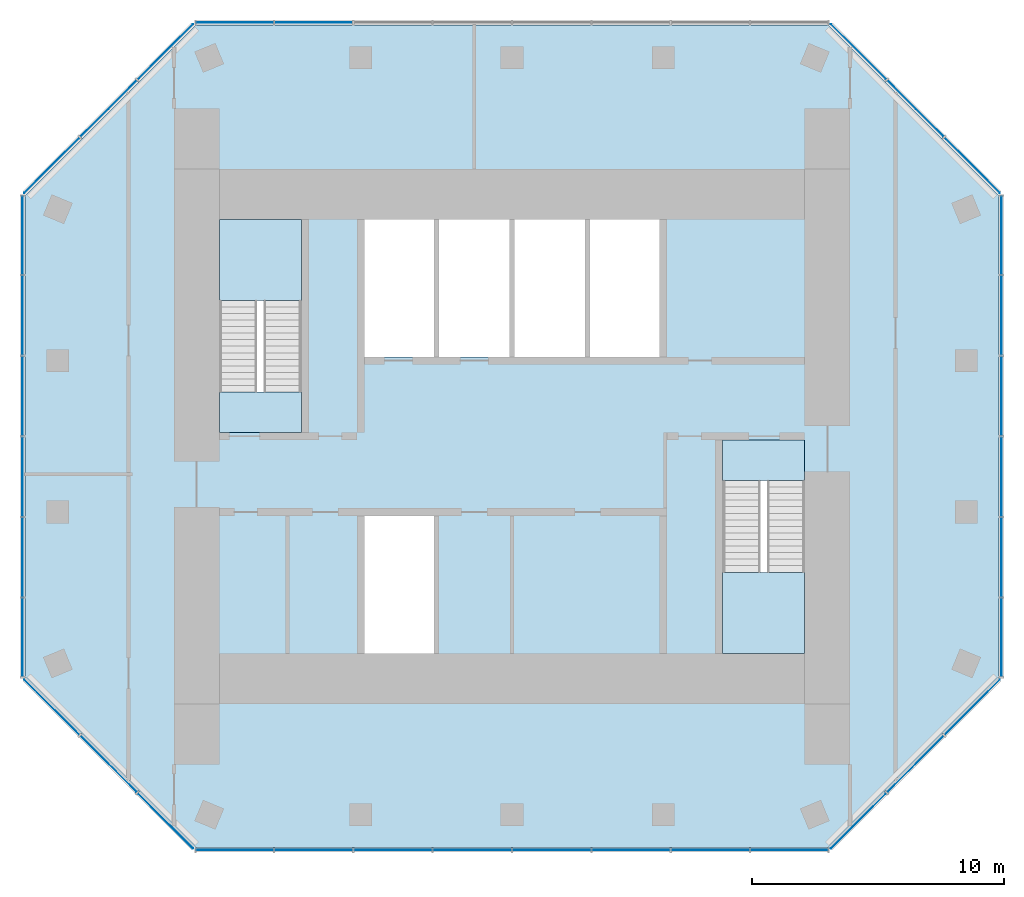
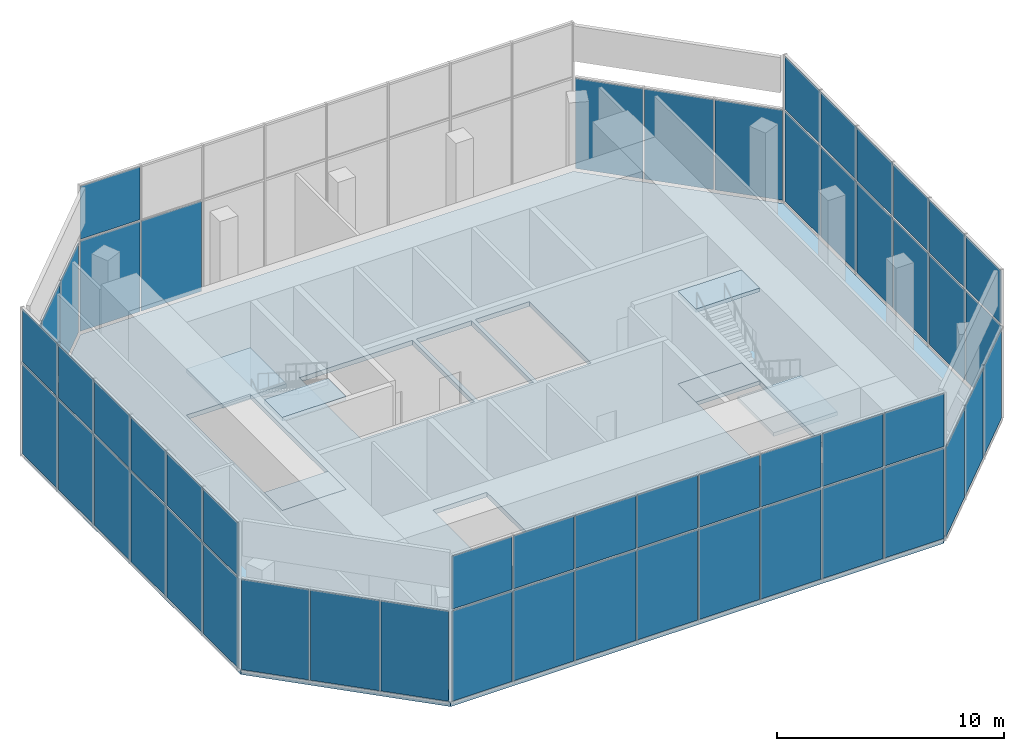
# One storey, part 6 of 9: 55 plates, 7 slabs, 10 elements without a shape of their own.
"""IFC4 building model written with IfcOpenShell, lengths in metres."""

from ifc_helpers import new_model, si_unit, direction, frame, origin, origin_2d, place, context, subcontext, project, spatial, polyline, rectangle, outline, extrude, material, layer, layer_set, type_object, element, aggregate, save


model = new_model("IFC4")

# Units and contexts
model_context = context("Model", 3, precision=1e-05, world=origin(), true_north=direction((0.0, 1.0)))
body_context = subcontext(model_context, "Body", "Model", "MODEL_VIEW")
ifc_project = project(units=[si_unit("LENGTHUNIT", "METRE"), si_unit("AREAUNIT", "SQUARE_METRE"), si_unit("VOLUMEUNIT", "CUBIC_METRE"), si_unit("PLANEANGLEUNIT", "RADIAN"), si_unit("MASSUNIT", "GRAM", prefix="KILO")], contexts=[model_context])

# Site, building, storey
site_placement = place(None, origin())
site = spatial("IfcSite", under=ifc_project, at=site_placement, CompositionType="ELEMENT")
building_placement = place(site_placement, origin())
building = spatial("IfcBuilding", under=site, at=building_placement, Name="Highveld Stack Headquarters", CompositionType="ELEMENT")
storey_placement = place(building_placement, frame((0.0, 0.0, 300.699951171875)))
storey = spatial("IfcBuildingStorey", under=building, at=storey_placement, Name="L74", CompositionType="ELEMENT", Elevation=300.699951171875)

# Curtain wall, plates
ifc_material_1 = material(Name="Aluminium bronze anodised", Category="aluminium")
ifc_layer_1 = layer(ifc_material_1, 0.199951171875)
ifc_layer_set_1 = layer_set([ifc_layer_1], Name="Aluminium bronze anodised")
curtain_wall_type = type_object("IfcCurtainWallType", Name="CW4 LANTERN CURTAIN WALL", PredefinedType="NOTDEFINED", material=ifc_layer_set_1)
curtain_wall_1_placement = place(storey_placement, origin())
curtain_wall_1 = element("IfcCurtainWall", 1, at=curtain_wall_1_placement, inside=storey, type_object=curtain_wall_type, Name="Curtain wall CW4 L74 S", PredefinedType="NOTDEFINED")
ifc_material_2 = material(Name="Glass translucent laminated glass", Category="glass")
ifc_layer_2 = layer(ifc_material_2, 0.02197265625)
ifc_layer_set_2 = layer_set([ifc_layer_2], Name="Glass translucent laminated glass")
plate_type = type_object("IfcPlateType", Name="CW4 PANEL TRANSLUCENT LAMINATED GLASS", PredefinedType="CURTAIN_PANEL", material=ifc_layer_set_2)
plate_1_placement = place(storey_placement, frame((-4.9912109375, -13.39990234375, 0.10009765625), z_axis=(0.0, 0.0, 1.0), x_axis=(1.0, 0.0, 0.0)))
plate_1 = element("IfcPlate", 2, at=plate_1_placement, type_object=plate_type, Name="CW4 panel L74 1.1", PredefinedType="CURTAIN_PANEL", context=body_context, shape_type="SweptSolid", body=[
    extrude(rectangle(XDim=3.047607421875, YDim=0.02197265625, at=origin_2d()), origin(), (0.0, 0.0, 1.0), 4.85009765625),
])
plate_2_placement = place(storey_placement, frame((-4.9912109375, -13.39990234375, 5.050048828125), z_axis=(0.0, 0.0, 1.0), x_axis=(1.0, 0.0, 0.0)))
plate_2 = element("IfcPlate", 3, at=plate_2_placement, type_object=plate_type, Name="CW4 panel L74 1.2", PredefinedType="CURTAIN_PANEL", context=body_context, shape_type="SweptSolid", body=[
    extrude(rectangle(XDim=3.047607421875, YDim=0.02197265625, at=origin_2d()), origin(), (0.0, 0.0, 1.0), 2.85009765625),
])
plate_3_placement = place(storey_placement, frame((-1.8623046875, -13.39990234375, 0.10009765625), z_axis=(0.0, 0.0, 1.0), x_axis=(1.0, 0.0, 0.0)))
plate_3 = element("IfcPlate", 4, at=plate_3_placement, type_object=plate_type, Name="CW4 panel L74 2.1", PredefinedType="CURTAIN_PANEL", context=body_context, shape_type="SweptSolid", body=[
    extrude(rectangle(XDim=3.080078125, YDim=0.02197265625, at=origin_2d()), origin(), (0.0, 0.0, 1.0), 4.85009765625),
])
plate_4_placement = place(storey_placement, frame((-1.8623046875, -13.39990234375, 5.050048828125), z_axis=(0.0, 0.0, 1.0), x_axis=(1.0, 0.0, 0.0)))
plate_4 = element("IfcPlate", 5, at=plate_4_placement, type_object=plate_type, Name="CW4 panel L74 2.2", PredefinedType="CURTAIN_PANEL", context=body_context, shape_type="SweptSolid", body=[
    extrude(rectangle(XDim=3.080078125, YDim=0.02197265625, at=origin_2d()), origin(), (0.0, 0.0, 1.0), 2.85009765625),
])
plate_5_placement = place(storey_placement, frame((1.282470703125, -13.39990234375, 0.10009765625), z_axis=(0.0, 0.0, 1.0), x_axis=(1.0, 0.0, 0.0)))
plate_5 = element("IfcPlate", 6, at=plate_5_placement, type_object=plate_type, Name="CW4 panel L74 3.1", PredefinedType="CURTAIN_PANEL", context=body_context, shape_type="SweptSolid", body=[
    extrude(rectangle(XDim=3.080078125, YDim=0.02197265625, at=origin_2d()), origin(), (0.0, 0.0, 1.0), 4.85009765625),
])
plate_6_placement = place(storey_placement, frame((1.282470703125, -13.39990234375, 5.050048828125), z_axis=(0.0, 0.0, 1.0), x_axis=(1.0, 0.0, 0.0)))
plate_6 = element("IfcPlate", 7, at=plate_6_placement, type_object=plate_type, Name="CW4 panel L74 3.2", PredefinedType="CURTAIN_PANEL", context=body_context, shape_type="SweptSolid", body=[
    extrude(rectangle(XDim=3.080078125, YDim=0.02197265625, at=origin_2d()), origin(), (0.0, 0.0, 1.0), 2.85009765625),
])
plate_7_placement = place(storey_placement, frame((4.427490234375, -13.39990234375, 0.10009765625), z_axis=(0.0, 0.0, 1.0), x_axis=(1.0, 0.0, 0.0)))
plate_7 = element("IfcPlate", 8, at=plate_7_placement, type_object=plate_type, Name="CW4 panel L74 4.1", PredefinedType="CURTAIN_PANEL", context=body_context, shape_type="SweptSolid", body=[
    extrude(rectangle(XDim=3.080078125, YDim=0.02197265625, at=origin_2d()), origin(), (0.0, 0.0, 1.0), 4.85009765625),
])
plate_8_placement = place(storey_placement, frame((4.427490234375, -13.39990234375, 5.050048828125), z_axis=(0.0, 0.0, 1.0), x_axis=(1.0, 0.0, 0.0)))
plate_8 = element("IfcPlate", 9, at=plate_8_placement, type_object=plate_type, Name="CW4 panel L74 4.2", PredefinedType="CURTAIN_PANEL", context=body_context, shape_type="SweptSolid", body=[
    extrude(rectangle(XDim=3.080078125, YDim=0.02197265625, at=origin_2d()), origin(), (0.0, 0.0, 1.0), 2.85009765625),
])
plate_9_placement = place(storey_placement, frame((7.572509765625, -13.39990234375, 0.10009765625), z_axis=(0.0, 0.0, 1.0), x_axis=(1.0, 0.0, 0.0)))
plate_9 = element("IfcPlate", 10, at=plate_9_placement, type_object=plate_type, Name="CW4 panel L74 5.1", PredefinedType="CURTAIN_PANEL", context=body_context, shape_type="SweptSolid", body=[
    extrude(rectangle(XDim=3.080078125, YDim=0.02197265625, at=origin_2d()), origin(), (0.0, 0.0, 1.0), 4.85009765625),
])
plate_10_placement = place(storey_placement, frame((7.572509765625, -13.39990234375, 5.050048828125), z_axis=(0.0, 0.0, 1.0), x_axis=(1.0, 0.0, 0.0)))
plate_10 = element("IfcPlate", 11, at=plate_10_placement, type_object=plate_type, Name="CW4 panel L74 5.2", PredefinedType="CURTAIN_PANEL", context=body_context, shape_type="SweptSolid", body=[
    extrude(rectangle(XDim=3.080078125, YDim=0.02197265625, at=origin_2d()), origin(), (0.0, 0.0, 1.0), 2.85009765625),
])
plate_11_placement = place(storey_placement, frame((10.717529296875, -13.39990234375, 0.10009765625), z_axis=(0.0, 0.0, 1.0), x_axis=(1.0, 0.0, 0.0)))
plate_11 = element("IfcPlate", 12, at=plate_11_placement, type_object=plate_type, Name="CW4 panel L74 6.1", PredefinedType="CURTAIN_PANEL", context=body_context, shape_type="SweptSolid", body=[
    extrude(rectangle(XDim=3.080078125, YDim=0.02197265625, at=origin_2d()), origin(), (0.0, 0.0, 1.0), 4.85009765625),
])
plate_12_placement = place(storey_placement, frame((10.717529296875, -13.39990234375, 5.050048828125), z_axis=(0.0, 0.0, 1.0), x_axis=(1.0, 0.0, 0.0)))
plate_12 = element("IfcPlate", 13, at=plate_12_placement, type_object=plate_type, Name="CW4 panel L74 6.2", PredefinedType="CURTAIN_PANEL", context=body_context, shape_type="SweptSolid", body=[
    extrude(rectangle(XDim=3.080078125, YDim=0.02197265625, at=origin_2d()), origin(), (0.0, 0.0, 1.0), 2.85009765625),
])
plate_13_placement = place(storey_placement, frame((13.8623046875, -13.39990234375, 0.10009765625), z_axis=(0.0, 0.0, 1.0), x_axis=(1.0, 0.0, 0.0)))
plate_13 = element("IfcPlate", 14, at=plate_13_placement, type_object=plate_type, Name="CW4 panel L74 7.1", PredefinedType="CURTAIN_PANEL", context=body_context, shape_type="SweptSolid", body=[
    extrude(rectangle(XDim=3.080078125, YDim=0.02197265625, at=origin_2d()), origin(), (0.0, 0.0, 1.0), 4.85009765625),
])
plate_14_placement = place(storey_placement, frame((13.8623046875, -13.39990234375, 5.050048828125), z_axis=(0.0, 0.0, 1.0), x_axis=(1.0, 0.0, 0.0)))
plate_14 = element("IfcPlate", 15, at=plate_14_placement, type_object=plate_type, Name="CW4 panel L74 7.2", PredefinedType="CURTAIN_PANEL", context=body_context, shape_type="SweptSolid", body=[
    extrude(rectangle(XDim=3.080078125, YDim=0.02197265625, at=origin_2d()), origin(), (0.0, 0.0, 1.0), 2.85009765625),
])
plate_15_placement = place(storey_placement, frame((16.9912109375, -13.39990234375, 0.10009765625), z_axis=(0.0, 0.0, 1.0), x_axis=(1.0, 0.0, 0.0)))
plate_15 = element("IfcPlate", 16, at=plate_15_placement, type_object=plate_type, Name="CW4 panel L74 8.1", PredefinedType="CURTAIN_PANEL", context=body_context, shape_type="SweptSolid", body=[
    extrude(rectangle(XDim=3.047607421875, YDim=0.02197265625, at=origin_2d()), origin(), (0.0, 0.0, 1.0), 4.85009765625),
])
plate_16_placement = place(storey_placement, frame((16.9912109375, -13.39990234375, 5.050048828125), z_axis=(0.0, 0.0, 1.0), x_axis=(1.0, 0.0, 0.0)))
plate_16 = element("IfcPlate", 17, at=plate_16_placement, type_object=plate_type, Name="CW4 panel L74 8.2", PredefinedType="CURTAIN_PANEL", context=body_context, shape_type="SweptSolid", body=[
    extrude(rectangle(XDim=3.047607421875, YDim=0.02197265625, at=origin_2d()), origin(), (0.0, 0.0, 1.0), 2.85009765625),
])
aggregate(curtain_wall_1, [plate_1, plate_2, plate_3, plate_4, plate_5, plate_6, plate_7, plate_8, plate_9, plate_10, plate_11, plate_12, plate_13, plate_14, plate_15, plate_16])

curtain_wall_2_placement = place(storey_placement, origin())
curtain_wall_2 = element("IfcCurtainWall", 18, at=curtain_wall_2_placement, inside=storey, type_object=curtain_wall_type, Name="Curtain wall CW4 L74 SE", PredefinedType="NOTDEFINED")
plate_17_placement = place(storey_placement, frame((19.740478515625, -12.239501953125, 0.10009765625), z_axis=(0.0, 0.0, 1.0), x_axis=(0.707106781187, 0.707106781187, 0.0)))
plate_17 = element("IfcPlate", 19, at=plate_17_placement, type_object=plate_type, Name="CW4 panel L74 1.1", PredefinedType="CURTAIN_PANEL", context=body_context, shape_type="SweptSolid", body=[
    extrude(rectangle(XDim=3.08251953125, YDim=0.02197265625, at=origin_2d()), origin(), (0.0, 0.0, 1.0), 4.85009765625),
])
plate_18_placement = place(storey_placement, frame((21.989990234375, -9.989990234375, 0.10009765625), z_axis=(0.0, 0.0, 1.0), x_axis=(0.707106781187, 0.707106781187, 0.0)))
plate_18 = element("IfcPlate", 20, at=plate_18_placement, type_object=plate_type, Name="CW4 panel L74 2.1", PredefinedType="CURTAIN_PANEL", context=body_context, shape_type="SweptSolid", body=[
    extrude(rectangle(XDim=3.14990234375, YDim=0.02197265625, at=origin_2d()), origin(), (0.0, 0.0, 1.0), 4.85009765625),
])
plate_19_placement = place(storey_placement, frame((24.239501953125, -7.740478515625, 0.10009765625), z_axis=(0.0, 0.0, 1.0), x_axis=(0.707106781187, 0.707106781187, 0.0)))
plate_19 = element("IfcPlate", 21, at=plate_19_placement, type_object=plate_type, Name="CW4 panel L74 3.1", PredefinedType="CURTAIN_PANEL", context=body_context, shape_type="SweptSolid", body=[
    extrude(rectangle(XDim=3.08251953125, YDim=0.02197265625, at=origin_2d()), origin(), (0.0, 0.0, 1.0), 4.85009765625),
])
aggregate(curtain_wall_2, [plate_17, plate_18, plate_19])

curtain_wall_3_placement = place(storey_placement, origin())
curtain_wall_3 = element("IfcCurtainWall", 22, at=curtain_wall_3_placement, inside=storey, type_object=curtain_wall_type, Name="Curtain wall CW4 L74 E", PredefinedType="NOTDEFINED")
plate_20_placement = place(storey_placement, frame((25.39990234375, -4.967041015625, 0.10009765625), z_axis=(0.0, 0.0, 1.0), x_axis=(0.0, 1.0, 0.0)))
plate_20 = element("IfcPlate", 23, at=plate_20_placement, type_object=plate_type, Name="CW4 panel L74 1.1", PredefinedType="CURTAIN_PANEL", context=body_context, shape_type="SweptSolid", body=[
    extrude(rectangle(XDim=3.095703125, YDim=0.02197265625, at=origin_2d()), origin(), (0.0, 0.0, 1.0), 4.85009765625),
])
plate_21_placement = place(storey_placement, frame((25.39990234375, -4.967041015625, 5.050048828125), z_axis=(0.0, 0.0, 1.0), x_axis=(0.0, 1.0, 0.0)))
plate_21 = element("IfcPlate", 24, at=plate_21_placement, type_object=plate_type, Name="CW4 panel L74 1.2", PredefinedType="CURTAIN_PANEL", context=body_context, shape_type="SweptSolid", body=[
    extrude(rectangle(XDim=3.095703125, YDim=0.02197265625, at=origin_2d()), origin(), (0.0, 0.0, 1.0), 2.85009765625),
])
plate_22_placement = place(storey_placement, frame((25.39990234375, -1.789794921875, 0.10009765625), z_axis=(0.0, 0.0, 1.0), x_axis=(0.0, 1.0, 0.0)))
plate_22 = element("IfcPlate", 25, at=plate_22_placement, type_object=plate_type, Name="CW4 panel L74 2.1", PredefinedType="CURTAIN_PANEL", context=body_context, shape_type="SweptSolid", body=[
    extrude(rectangle(XDim=3.12841796875, YDim=0.02197265625, at=origin_2d()), origin(), (0.0, 0.0, 1.0), 4.85009765625),
])
plate_23_placement = place(storey_placement, frame((25.39990234375, -1.789794921875, 5.050048828125), z_axis=(0.0, 0.0, 1.0), x_axis=(0.0, 1.0, 0.0)))
plate_23 = element("IfcPlate", 26, at=plate_23_placement, type_object=plate_type, Name="CW4 panel L74 2.2", PredefinedType="CURTAIN_PANEL", context=body_context, shape_type="SweptSolid", body=[
    extrude(rectangle(XDim=3.12841796875, YDim=0.02197265625, at=origin_2d()), origin(), (0.0, 0.0, 1.0), 2.85009765625),
])
plate_24_placement = place(storey_placement, frame((25.39990234375, 1.4033203125, 0.10009765625), z_axis=(0.0, 0.0, 1.0), x_axis=(0.0, 1.0, 0.0)))
plate_24 = element("IfcPlate", 27, at=plate_24_placement, type_object=plate_type, Name="CW4 panel L74 3.1", PredefinedType="CURTAIN_PANEL", context=body_context, shape_type="SweptSolid", body=[
    extrude(rectangle(XDim=3.12841796875, YDim=0.02197265625, at=origin_2d()), origin(), (0.0, 0.0, 1.0), 4.85009765625),
])
plate_25_placement = place(storey_placement, frame((25.39990234375, 1.4033203125, 5.050048828125), z_axis=(0.0, 0.0, 1.0), x_axis=(0.0, 1.0, 0.0)))
plate_25 = element("IfcPlate", 28, at=plate_25_placement, type_object=plate_type, Name="CW4 panel L74 3.2", PredefinedType="CURTAIN_PANEL", context=body_context, shape_type="SweptSolid", body=[
    extrude(rectangle(XDim=3.12841796875, YDim=0.02197265625, at=origin_2d()), origin(), (0.0, 0.0, 1.0), 2.85009765625),
])
plate_26_placement = place(storey_placement, frame((25.39990234375, 4.5966796875, 0.10009765625), z_axis=(0.0, 0.0, 1.0), x_axis=(0.0, 1.0, 0.0)))
plate_26 = element("IfcPlate", 29, at=plate_26_placement, type_object=plate_type, Name="CW4 panel L74 4.1", PredefinedType="CURTAIN_PANEL", context=body_context, shape_type="SweptSolid", body=[
    extrude(rectangle(XDim=3.12841796875, YDim=0.02197265625, at=origin_2d()), origin(), (0.0, 0.0, 1.0), 4.85009765625),
])
plate_27_placement = place(storey_placement, frame((25.39990234375, 4.5966796875, 5.050048828125), z_axis=(0.0, 0.0, 1.0), x_axis=(0.0, 1.0, 0.0)))
plate_27 = element("IfcPlate", 30, at=plate_27_placement, type_object=plate_type, Name="CW4 panel L74 4.2", PredefinedType="CURTAIN_PANEL", context=body_context, shape_type="SweptSolid", body=[
    extrude(rectangle(XDim=3.12841796875, YDim=0.02197265625, at=origin_2d()), origin(), (0.0, 0.0, 1.0), 2.85009765625),
])
plate_28_placement = place(storey_placement, frame((25.39990234375, 7.7900390625, 0.10009765625), z_axis=(0.0, 0.0, 1.0), x_axis=(0.0, 1.0, 0.0)))
plate_28 = element("IfcPlate", 31, at=plate_28_placement, type_object=plate_type, Name="CW4 panel L74 5.1", PredefinedType="CURTAIN_PANEL", context=body_context, shape_type="SweptSolid", body=[
    extrude(rectangle(XDim=3.12841796875, YDim=0.02197265625, at=origin_2d()), origin(), (0.0, 0.0, 1.0), 4.85009765625),
])
plate_29_placement = place(storey_placement, frame((25.39990234375, 7.7900390625, 5.050048828125), z_axis=(0.0, 0.0, 1.0), x_axis=(0.0, 1.0, 0.0)))
plate_29 = element("IfcPlate", 32, at=plate_29_placement, type_object=plate_type, Name="CW4 panel L74 5.2", PredefinedType="CURTAIN_PANEL", context=body_context, shape_type="SweptSolid", body=[
    extrude(rectangle(XDim=3.12841796875, YDim=0.02197265625, at=origin_2d()), origin(), (0.0, 0.0, 1.0), 2.85009765625),
])
plate_30_placement = place(storey_placement, frame((25.39990234375, 10.967041015625, 0.10009765625), z_axis=(0.0, 0.0, 1.0), x_axis=(0.0, 1.0, 0.0)))
plate_30 = element("IfcPlate", 33, at=plate_30_placement, type_object=plate_type, Name="CW4 panel L74 6.1", PredefinedType="CURTAIN_PANEL", context=body_context, shape_type="SweptSolid", body=[
    extrude(rectangle(XDim=3.095703125, YDim=0.02197265625, at=origin_2d()), origin(), (0.0, 0.0, 1.0), 4.85009765625),
])
plate_31_placement = place(storey_placement, frame((25.39990234375, 10.967041015625, 5.050048828125), z_axis=(0.0, 0.0, 1.0), x_axis=(0.0, 1.0, 0.0)))
plate_31 = element("IfcPlate", 34, at=plate_31_placement, type_object=plate_type, Name="CW4 panel L74 6.2", PredefinedType="CURTAIN_PANEL", context=body_context, shape_type="SweptSolid", body=[
    extrude(rectangle(XDim=3.095703125, YDim=0.02197265625, at=origin_2d()), origin(), (0.0, 0.0, 1.0), 2.85009765625),
])
aggregate(curtain_wall_3, [plate_20, plate_21, plate_22, plate_23, plate_24, plate_25, plate_26, plate_27, plate_28, plate_29, plate_30, plate_31])

curtain_wall_4_placement = place(storey_placement, origin())
curtain_wall_4 = element("IfcCurtainWall", 35, at=curtain_wall_4_placement, inside=storey, type_object=curtain_wall_type, Name="Curtain wall CW4 L74 NE", PredefinedType="NOTDEFINED")
plate_32_placement = place(storey_placement, frame((24.239501953125, 13.740478515625, 0.10009765625), z_axis=(0.0, 0.0, 1.0), x_axis=(-0.707106781187, 0.707106781187, 0.0)))
plate_32 = element("IfcPlate", 36, at=plate_32_placement, type_object=plate_type, Name="CW4 panel L74 1.1", PredefinedType="CURTAIN_PANEL", context=body_context, shape_type="SweptSolid", body=[
    extrude(rectangle(XDim=3.08251953125, YDim=0.02197265625, at=origin_2d()), origin(), (0.0, 0.0, 1.0), 4.85009765625),
])
plate_33_placement = place(storey_placement, frame((21.989990234375, 15.989990234375, 0.10009765625), z_axis=(0.0, 0.0, 1.0), x_axis=(-0.707106781187, 0.707106781187, 0.0)))
plate_33 = element("IfcPlate", 37, at=plate_33_placement, type_object=plate_type, Name="CW4 panel L74 2.1", PredefinedType="CURTAIN_PANEL", context=body_context, shape_type="SweptSolid", body=[
    extrude(rectangle(XDim=3.14990234375, YDim=0.02197265625, at=origin_2d()), origin(), (0.0, 0.0, 1.0), 4.85009765625),
])
plate_34_placement = place(storey_placement, frame((19.740478515625, 18.239501953125, 0.10009765625), z_axis=(0.0, 0.0, 1.0), x_axis=(-0.707106781187, 0.707106781187, 0.0)))
plate_34 = element("IfcPlate", 38, at=plate_34_placement, type_object=plate_type, Name="CW4 panel L74 3.1", PredefinedType="CURTAIN_PANEL", context=body_context, shape_type="SweptSolid", body=[
    extrude(rectangle(XDim=3.08251953125, YDim=0.02197265625, at=origin_2d()), origin(), (0.0, 0.0, 1.0), 4.85009765625),
])
aggregate(curtain_wall_4, [plate_32, plate_33, plate_34])

curtain_wall_5_placement = place(storey_placement, origin())
curtain_wall_5 = element("IfcCurtainWall", 39, at=curtain_wall_5_placement, inside=storey, type_object=curtain_wall_type, Name="Curtain wall CW4 L74 N", PredefinedType="NOTDEFINED")
plate_35_placement = place(storey_placement, frame((-1.8623046875, 19.39990234375, 0.10009765625), z_axis=(0.0, 0.0, 1.0), x_axis=(-1.0, 0.0, 0.0)))
plate_35 = element("IfcPlate", 40, at=plate_35_placement, type_object=plate_type, Name="CW4 panel L74 7.1", PredefinedType="CURTAIN_PANEL", context=body_context, shape_type="SweptSolid", body=[
    extrude(rectangle(XDim=3.080078125, YDim=0.02197265625, at=origin_2d()), origin(), (0.0, 0.0, 1.0), 4.85009765625),
])
plate_36_placement = place(storey_placement, frame((-4.9912109375, 19.39990234375, 0.10009765625), z_axis=(0.0, 0.0, 1.0), x_axis=(-1.0, 0.0, 0.0)))
plate_36 = element("IfcPlate", 41, at=plate_36_placement, type_object=plate_type, Name="CW4 panel L74 8.1", PredefinedType="CURTAIN_PANEL", context=body_context, shape_type="SweptSolid", body=[
    extrude(rectangle(XDim=3.047607421875, YDim=0.02197265625, at=origin_2d()), origin(), (0.0, 0.0, 1.0), 4.85009765625),
])
plate_37_placement = place(storey_placement, frame((-4.9912109375, 19.39990234375, 5.050048828125), z_axis=(0.0, 0.0, 1.0), x_axis=(-1.0, 0.0, 0.0)))
plate_37 = element("IfcPlate", 42, at=plate_37_placement, type_object=plate_type, Name="CW4 panel L74 8.2", PredefinedType="CURTAIN_PANEL", context=body_context, shape_type="SweptSolid", body=[
    extrude(rectangle(XDim=3.047607421875, YDim=0.02197265625, at=origin_2d()), origin(), (0.0, 0.0, 1.0), 2.85009765625),
])
aggregate(curtain_wall_5, [plate_35, plate_36, plate_37])

curtain_wall_6_placement = place(storey_placement, origin())
curtain_wall_6 = element("IfcCurtainWall", 43, at=curtain_wall_6_placement, inside=storey, type_object=curtain_wall_type, Name="Curtain wall CW4 L74 NW", PredefinedType="NOTDEFINED")
plate_38_placement = place(storey_placement, frame((-7.740478515625, 18.239501953125, 0.10009765625), z_axis=(0.0, 0.0, 1.0), x_axis=(-0.707106781187, -0.707106781187, 0.0)))
plate_38 = element("IfcPlate", 44, at=plate_38_placement, type_object=plate_type, Name="CW4 panel L74 1.1", PredefinedType="CURTAIN_PANEL", context=body_context, shape_type="SweptSolid", body=[
    extrude(rectangle(XDim=3.08251953125, YDim=0.02197265625, at=origin_2d()), origin(), (0.0, 0.0, 1.0), 4.85009765625),
])
plate_39_placement = place(storey_placement, frame((-9.989990234375, 15.989990234375, 0.10009765625), z_axis=(0.0, 0.0, 1.0), x_axis=(-0.707106781187, -0.707106781187, 0.0)))
plate_39 = element("IfcPlate", 45, at=plate_39_placement, type_object=plate_type, Name="CW4 panel L74 2.1", PredefinedType="CURTAIN_PANEL", context=body_context, shape_type="SweptSolid", body=[
    extrude(rectangle(XDim=3.14990234375, YDim=0.02197265625, at=origin_2d()), origin(), (0.0, 0.0, 1.0), 4.85009765625),
])
plate_40_placement = place(storey_placement, frame((-12.239501953125, 13.740478515625, 0.10009765625), z_axis=(0.0, 0.0, 1.0), x_axis=(-0.707106781187, -0.707106781187, 0.0)))
plate_40 = element("IfcPlate", 46, at=plate_40_placement, type_object=plate_type, Name="CW4 panel L74 3.1", PredefinedType="CURTAIN_PANEL", context=body_context, shape_type="SweptSolid", body=[
    extrude(rectangle(XDim=3.08251953125, YDim=0.02197265625, at=origin_2d()), origin(), (0.0, 0.0, 1.0), 4.85009765625),
])
aggregate(curtain_wall_6, [plate_38, plate_39, plate_40])

curtain_wall_7_placement = place(storey_placement, origin())
curtain_wall_7 = element("IfcCurtainWall", 47, at=curtain_wall_7_placement, inside=storey, type_object=curtain_wall_type, Name="Curtain wall CW4 L74 W", PredefinedType="NOTDEFINED")
plate_41_placement = place(storey_placement, frame((-13.39990234375, 10.967041015625, 0.10009765625), z_axis=(0.0, 0.0, 1.0), x_axis=(0.0, -1.0, 0.0)))
plate_41 = element("IfcPlate", 48, at=plate_41_placement, type_object=plate_type, Name="CW4 panel L74 1.1", PredefinedType="CURTAIN_PANEL", context=body_context, shape_type="SweptSolid", body=[
    extrude(rectangle(XDim=3.095703125, YDim=0.02197265625, at=origin_2d()), origin(), (0.0, 0.0, 1.0), 4.85009765625),
])
plate_42_placement = place(storey_placement, frame((-13.39990234375, 10.967041015625, 5.050048828125), z_axis=(0.0, 0.0, 1.0), x_axis=(0.0, -1.0, 0.0)))
plate_42 = element("IfcPlate", 49, at=plate_42_placement, type_object=plate_type, Name="CW4 panel L74 1.2", PredefinedType="CURTAIN_PANEL", context=body_context, shape_type="SweptSolid", body=[
    extrude(rectangle(XDim=3.095703125, YDim=0.02197265625, at=origin_2d()), origin(), (0.0, 0.0, 1.0), 2.85009765625),
])
plate_43_placement = place(storey_placement, frame((-13.39990234375, 7.789794921875, 0.10009765625), z_axis=(0.0, 0.0, 1.0), x_axis=(0.0, -1.0, 0.0)))
plate_43 = element("IfcPlate", 50, at=plate_43_placement, type_object=plate_type, Name="CW4 panel L74 2.1", PredefinedType="CURTAIN_PANEL", context=body_context, shape_type="SweptSolid", body=[
    extrude(rectangle(XDim=3.12841796875, YDim=0.02197265625, at=origin_2d()), origin(), (0.0, 0.0, 1.0), 4.85009765625),
])
plate_44_placement = place(storey_placement, frame((-13.39990234375, 7.789794921875, 5.050048828125), z_axis=(0.0, 0.0, 1.0), x_axis=(0.0, -1.0, 0.0)))
plate_44 = element("IfcPlate", 51, at=plate_44_placement, type_object=plate_type, Name="CW4 panel L74 2.2", PredefinedType="CURTAIN_PANEL", context=body_context, shape_type="SweptSolid", body=[
    extrude(rectangle(XDim=3.12841796875, YDim=0.02197265625, at=origin_2d()), origin(), (0.0, 0.0, 1.0), 2.85009765625),
])
plate_45_placement = place(storey_placement, frame((-13.39990234375, 4.5966796875, 0.10009765625), z_axis=(0.0, 0.0, 1.0), x_axis=(0.0, -1.0, 0.0)))
plate_45 = element("IfcPlate", 52, at=plate_45_placement, type_object=plate_type, Name="CW4 panel L74 3.1", PredefinedType="CURTAIN_PANEL", context=body_context, shape_type="SweptSolid", body=[
    extrude(rectangle(XDim=3.12841796875, YDim=0.02197265625, at=origin_2d()), origin(), (0.0, 0.0, 1.0), 4.85009765625),
])
plate_46_placement = place(storey_placement, frame((-13.39990234375, 4.5966796875, 5.050048828125), z_axis=(0.0, 0.0, 1.0), x_axis=(0.0, -1.0, 0.0)))
plate_46 = element("IfcPlate", 53, at=plate_46_placement, type_object=plate_type, Name="CW4 panel L74 3.2", PredefinedType="CURTAIN_PANEL", context=body_context, shape_type="SweptSolid", body=[
    extrude(rectangle(XDim=3.12841796875, YDim=0.02197265625, at=origin_2d()), origin(), (0.0, 0.0, 1.0), 2.85009765625),
])
plate_47_placement = place(storey_placement, frame((-13.39990234375, 1.4033203125, 0.10009765625), z_axis=(0.0, 0.0, 1.0), x_axis=(0.0, -1.0, 0.0)))
plate_47 = element("IfcPlate", 54, at=plate_47_placement, type_object=plate_type, Name="CW4 panel L74 4.1", PredefinedType="CURTAIN_PANEL", context=body_context, shape_type="SweptSolid", body=[
    extrude(rectangle(XDim=3.12841796875, YDim=0.02197265625, at=origin_2d()), origin(), (0.0, 0.0, 1.0), 4.85009765625),
])
plate_48_placement = place(storey_placement, frame((-13.39990234375, 1.4033203125, 5.050048828125), z_axis=(0.0, 0.0, 1.0), x_axis=(0.0, -1.0, 0.0)))
plate_48 = element("IfcPlate", 55, at=plate_48_placement, type_object=plate_type, Name="CW4 panel L74 4.2", PredefinedType="CURTAIN_PANEL", context=body_context, shape_type="SweptSolid", body=[
    extrude(rectangle(XDim=3.12841796875, YDim=0.02197265625, at=origin_2d()), origin(), (0.0, 0.0, 1.0), 2.85009765625),
])
plate_49_placement = place(storey_placement, frame((-13.39990234375, -1.7900390625, 0.10009765625), z_axis=(0.0, 0.0, 1.0), x_axis=(0.0, -1.0, 0.0)))
plate_49 = element("IfcPlate", 56, at=plate_49_placement, type_object=plate_type, Name="CW4 panel L74 5.1", PredefinedType="CURTAIN_PANEL", context=body_context, shape_type="SweptSolid", body=[
    extrude(rectangle(XDim=3.12841796875, YDim=0.02197265625, at=origin_2d()), origin(), (0.0, 0.0, 1.0), 4.85009765625),
])
plate_50_placement = place(storey_placement, frame((-13.39990234375, -1.7900390625, 5.050048828125), z_axis=(0.0, 0.0, 1.0), x_axis=(0.0, -1.0, 0.0)))
plate_50 = element("IfcPlate", 57, at=plate_50_placement, type_object=plate_type, Name="CW4 panel L74 5.2", PredefinedType="CURTAIN_PANEL", context=body_context, shape_type="SweptSolid", body=[
    extrude(rectangle(XDim=3.12841796875, YDim=0.02197265625, at=origin_2d()), origin(), (0.0, 0.0, 1.0), 2.85009765625),
])
plate_51_placement = place(storey_placement, frame((-13.39990234375, -4.967041015625, 0.10009765625), z_axis=(0.0, 0.0, 1.0), x_axis=(0.0, -1.0, 0.0)))
plate_51 = element("IfcPlate", 58, at=plate_51_placement, type_object=plate_type, Name="CW4 panel L74 6.1", PredefinedType="CURTAIN_PANEL", context=body_context, shape_type="SweptSolid", body=[
    extrude(rectangle(XDim=3.095703125, YDim=0.02197265625, at=origin_2d()), origin(), (0.0, 0.0, 1.0), 4.85009765625),
])
plate_52_placement = place(storey_placement, frame((-13.39990234375, -4.967041015625, 5.050048828125), z_axis=(0.0, 0.0, 1.0), x_axis=(0.0, -1.0, 0.0)))
plate_52 = element("IfcPlate", 59, at=plate_52_placement, type_object=plate_type, Name="CW4 panel L74 6.2", PredefinedType="CURTAIN_PANEL", context=body_context, shape_type="SweptSolid", body=[
    extrude(rectangle(XDim=3.095703125, YDim=0.02197265625, at=origin_2d()), origin(), (0.0, 0.0, 1.0), 2.85009765625),
])
aggregate(curtain_wall_7, [plate_41, plate_42, plate_43, plate_44, plate_45, plate_46, plate_47, plate_48, plate_49, plate_50, plate_51, plate_52])

curtain_wall_8_placement = place(storey_placement, origin())
curtain_wall_8 = element("IfcCurtainWall", 60, at=curtain_wall_8_placement, inside=storey, type_object=curtain_wall_type, Name="Curtain wall CW4 L74 SW", PredefinedType="NOTDEFINED")
plate_53_placement = place(storey_placement, frame((-12.239501953125, -7.740478515625, 0.10009765625), z_axis=(0.0, 0.0, 1.0), x_axis=(0.707106781187, -0.707106781187, 0.0)))
plate_53 = element("IfcPlate", 61, at=plate_53_placement, type_object=plate_type, Name="CW4 panel L74 1.1", PredefinedType="CURTAIN_PANEL", context=body_context, shape_type="SweptSolid", body=[
    extrude(rectangle(XDim=3.08251953125, YDim=0.02197265625, at=origin_2d()), origin(), (0.0, 0.0, 1.0), 4.85009765625),
])
plate_54_placement = place(storey_placement, frame((-9.989990234375, -9.989990234375, 0.10009765625), z_axis=(0.0, 0.0, 1.0), x_axis=(0.707106781187, -0.707106781187, 0.0)))
plate_54 = element("IfcPlate", 62, at=plate_54_placement, type_object=plate_type, Name="CW4 panel L74 2.1", PredefinedType="CURTAIN_PANEL", context=body_context, shape_type="SweptSolid", body=[
    extrude(rectangle(XDim=3.14990234375, YDim=0.02197265625, at=origin_2d()), origin(), (0.0, 0.0, 1.0), 4.85009765625),
])
plate_55_placement = place(storey_placement, frame((-7.740478515625, -12.239501953125, 0.10009765625), z_axis=(0.0, 0.0, 1.0), x_axis=(0.707106781187, -0.707106781187, 0.0)))
plate_55 = element("IfcPlate", 63, at=plate_55_placement, type_object=plate_type, Name="CW4 panel L74 3.1", PredefinedType="CURTAIN_PANEL", context=body_context, shape_type="SweptSolid", body=[
    extrude(rectangle(XDim=3.08251953125, YDim=0.02197265625, at=origin_2d()), origin(), (0.0, 0.0, 1.0), 4.85009765625),
])
aggregate(curtain_wall_8, [plate_53, plate_54, plate_55])

# Slab
ifc_material_3 = material(Name="Concrete C60/75", Category="concrete")
ifc_layer_3 = layer(ifc_material_3, 0.25)
ifc_layer_set_3 = layer_set([ifc_layer_3], Name="Concrete C60/75")
slab_type_1 = type_object("IfcSlabType", Name="PT FLAT SLAB 250", PredefinedType="FLOOR", material=ifc_layer_set_3)
slab_1_placement = place(storey_placement, frame((0.0, 0.0, -0.25)))
element("IfcSlab", 64, at=slab_1_placement, inside=storey, type_object=slab_type_1, Name="Floor slab L74", PredefinedType="FLOOR", context=body_context, shape_type="SweptSolid", body=[
    extrude(outline(polyline([(-6.53857421875, -13.300048828125), (18.53857421875, -13.300048828125), (25.300048828125, -6.53857421875), (25.300048828125, 12.53857421875), (18.53857421875, 19.300048828125), (-6.53857421875, 19.300048828125), (-13.300048828125, 12.53857421875), (-13.300048828125, -6.53857421875), (-6.53857421875, -13.300048828125)]), holes=[polyline([(0.14990234375, 6.14990234375), (5.89990234375, 6.14990234375), (5.89990234375, 11.60009765625), (0.14990234375, 11.60009765625), (0.14990234375, 6.14990234375)]), polyline([(9.10009765625, 6.14990234375), (11.85009765625, 6.14990234375), (11.85009765625, 11.60009765625), (9.10009765625, 11.60009765625), (9.10009765625, 6.14990234375)]), polyline([(6.10009765625, 6.14990234375), (8.89990234375, 6.14990234375), (8.89990234375, 11.60009765625), (6.10009765625, 11.60009765625), (6.10009765625, 6.14990234375)]), polyline([(0.14990234375, -5.60009765625), (2.89990234375, -5.60009765625), (2.89990234375, -0.14990234375), (0.14990234375, -0.14990234375), (0.14990234375, -5.60009765625)]), polyline([(-5.60009765625, 3.14990234375), (-2.35009765625, 3.14990234375), (-2.35009765625, 11.60009765625), (-5.60009765625, 11.60009765625), (-5.60009765625, 3.14990234375)]), polyline([(14.35009765625, -5.60009765625), (17.60009765625, -5.60009765625), (17.60009765625, 2.85009765625), (14.35009765625, 2.85009765625), (14.35009765625, -5.60009765625)])]), origin(), (0.0, 0.0, 1.0), 0.25),
])

# Stair, slabs
ifc_material_4 = material(Name="Concrete C40/50, precast", Category="concrete")
stair_type_1 = type_object("IfcStairType", Name="STAIR S1 HALF TURN 1500", PredefinedType="HALF_TURN_STAIR", material=ifc_material_4)
stair_1_placement = place(storey_placement, origin())
stair_1 = element("IfcStair", 65, at=stair_1_placement, inside=storey, type_object=stair_type_1, Name="Stair S1 L74", PredefinedType="HALF_TURN_STAIR")
ifc_material_5 = material(Name="Concrete C40/50, precast", Category="concrete")
ifc_layer_4 = layer(ifc_material_5, 0.199951171875)
ifc_layer_set_4 = layer_set([ifc_layer_4], Name="Concrete C40/50, precast")
slab_type_2 = type_object("IfcSlabType", Name="STAIR LANDING 200", PredefinedType="LANDING", material=ifc_layer_set_4)
slab_2_placement = place(storey_placement, frame((0.0, 0.0, 2.300048828125)))
slab_2 = element("IfcSlab", 66, at=slab_2_placement, type_object=slab_type_2, Name="S1 landing 1", PredefinedType="LANDING", context=body_context, shape_type="SweptSolid", body=[
    extrude(outline(polyline([(-5.60009765625, 8.389892578125), (-2.35009765625, 8.389892578125), (-2.35009765625, 11.60009765625), (-5.60009765625, 11.60009765625), (-5.60009765625, 8.389892578125)])), origin(), (0.0, 0.0, 1.0), 0.199951171875),
])
slab_3_placement = place(storey_placement, frame((0.0, 0.0, -0.199951171875)))
slab_3 = element("IfcSlab", 67, at=slab_3_placement, type_object=slab_type_2, Name="S1 landing 2", PredefinedType="LANDING", context=body_context, shape_type="SweptSolid", body=[
    extrude(outline(polyline([(-5.60009765625, 3.14990234375), (-2.35009765625, 3.14990234375), (-2.35009765625, 4.75), (-5.60009765625, 4.75), (-5.60009765625, 3.14990234375)])), origin(), (0.0, 0.0, 1.0), 0.199951171875),
])
slab_4_placement = place(storey_placement, frame((0.0, 0.0, 4.800048828125)))
slab_4 = element("IfcSlab", 68, at=slab_4_placement, type_object=slab_type_2, Name="S1 landing 3", PredefinedType="LANDING", context=body_context, shape_type="SweptSolid", body=[
    extrude(outline(polyline([(-5.60009765625, 3.14990234375), (-2.35009765625, 3.14990234375), (-2.35009765625, 4.75), (-5.60009765625, 4.75), (-5.60009765625, 3.14990234375)])), origin(), (0.0, 0.0, 1.0), 0.199951171875),
])
aggregate(stair_1, [slab_2, slab_3, slab_4])

ifc_material_6 = material(Name="Concrete C40/50, precast", Category="concrete")
stair_type_2 = type_object("IfcStairType", Name="STAIR S2 HALF TURN 1500", PredefinedType="HALF_TURN_STAIR", material=ifc_material_6)
stair_2_placement = place(storey_placement, origin())
stair_2 = element("IfcStair", 69, at=stair_2_placement, inside=storey, type_object=stair_type_2, Name="Stair S2 L74", PredefinedType="HALF_TURN_STAIR")
slab_5_placement = place(storey_placement, frame((0.0, 0.0, 2.300048828125)))
slab_5 = element("IfcSlab", 70, at=slab_5_placement, type_object=slab_type_2, Name="S2 landing 1", PredefinedType="LANDING", context=body_context, shape_type="SweptSolid", body=[
    extrude(outline(polyline([(14.35009765625, -5.60009765625), (17.60009765625, -5.60009765625), (17.60009765625, -2.389892578125), (14.35009765625, -2.389892578125), (14.35009765625, -5.60009765625)])), origin(), (0.0, 0.0, 1.0), 0.199951171875),
])
slab_6_placement = place(storey_placement, frame((0.0, 0.0, -0.199951171875)))
slab_6 = element("IfcSlab", 71, at=slab_6_placement, type_object=slab_type_2, Name="S2 landing 2", PredefinedType="LANDING", context=body_context, shape_type="SweptSolid", body=[
    extrude(outline(polyline([(14.35009765625, 1.25), (17.60009765625, 1.25), (17.60009765625, 2.85009765625), (14.35009765625, 2.85009765625), (14.35009765625, 1.25)])), origin(), (0.0, 0.0, 1.0), 0.199951171875),
])
slab_7_placement = place(storey_placement, frame((0.0, 0.0, 4.800048828125)))
slab_7 = element("IfcSlab", 72, at=slab_7_placement, type_object=slab_type_2, Name="S2 landing 3", PredefinedType="LANDING", context=body_context, shape_type="SweptSolid", body=[
    extrude(outline(polyline([(14.35009765625, 1.25), (17.60009765625, 1.25), (17.60009765625, 2.85009765625), (14.35009765625, 2.85009765625), (14.35009765625, 1.25)])), origin(), (0.0, 0.0, 1.0), 0.199951171875),
])
aggregate(stair_2, [slab_5, slab_6, slab_7])

save(model, "model.ifc")
